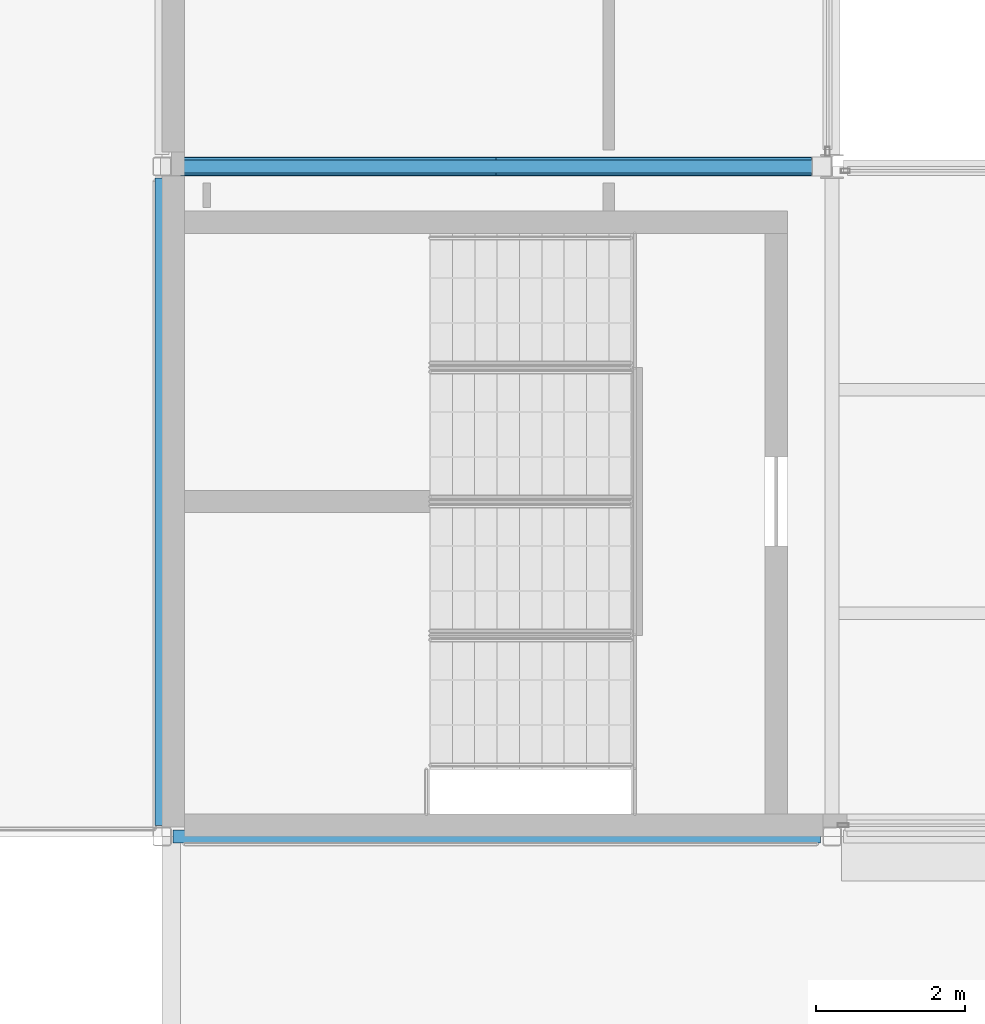
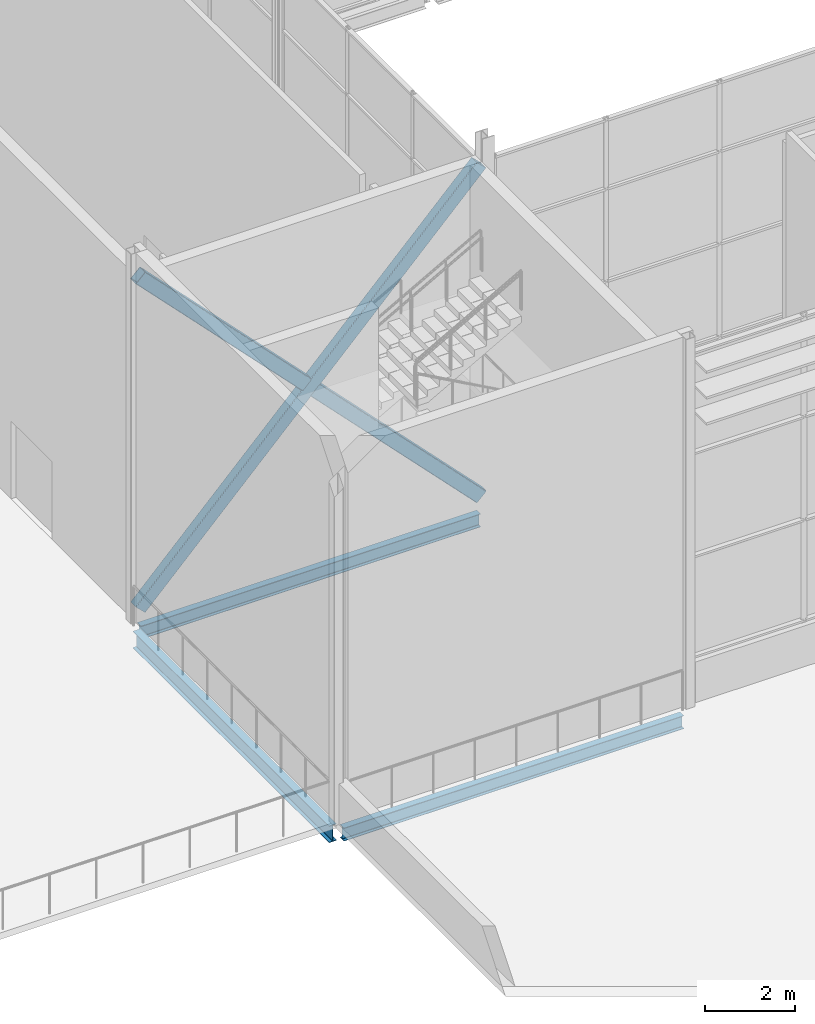
# One storey, part 12 of 111: 3 beams, 2 members.
"""IFC4 building model written with IfcOpenShell, lengths in metres."""

from ifc_helpers import new_model, si_unit, direction, frame, origin, origin_2d, place, context, subcontext, project, spatial, hollow_rectangle, i_section, extrude, material, material_profile, profile_set, type_object, element, save


model = new_model("IFC4")

# Units and contexts
model_context = context("Model", 3, precision=1e-05, world=origin(), true_north=direction((0.0, 1.0)))
body_context = subcontext(model_context, "Body", "Model", "MODEL_VIEW")
ifc_project = project(units=[si_unit("LENGTHUNIT", "METRE"), si_unit("AREAUNIT", "SQUARE_METRE"), si_unit("VOLUMEUNIT", "CUBIC_METRE"), si_unit("PLANEANGLEUNIT", "RADIAN"), si_unit("MASSUNIT", "GRAM", prefix="KILO")], contexts=[model_context])

# Site, building, storey
site_placement = place(None, origin())
site = spatial("IfcSite", under=ifc_project, at=site_placement, CompositionType="ELEMENT")
building_placement = place(site_placement, origin())
building = spatial("IfcBuilding", under=site, at=building_placement, Name="Shorebreak Coast Museum", CompositionType="ELEMENT")
storey_placement = place(building_placement, frame((0.0, 0.0, 16.0)))
storey = spatial("IfcBuildingStorey", under=building, at=storey_placement, Name="L03", CompositionType="ELEMENT", Elevation=16.0)

# Beams
ifc_material_1 = material(Name="Steel Grade 300", Category="steel")
ifc_material_profile_1 = material_profile(ifc_material_1, i_section(OverallWidth=0.1708984375, OverallDepth=0.355712890625, WebThickness=0.00732421875, FlangeThickness=0.011474609375, FilletRadius=0.011474609375, at=origin_2d()), Name="360UB50.7")
ifc_profile_set_1 = profile_set([ifc_material_profile_1], Name="Steel Grade 300")
beam_type_1 = type_object("IfcBeamType", Name="Floor girder east-west 360UB50.7", PredefinedType="BEAM", material=ifc_profile_set_1)
beam_1_placement = place(storey_placement, frame((54.14990234375, 54.0, -0.352783203125), z_axis=(1.0, 0.0, 0.0), x_axis=(0.0, 1.0, 0.0)))
element("IfcBeam", 1, at=beam_1_placement, inside=storey, type_object=beam_type_1, Name="Floor girder east-west L03 7G", PredefinedType="BEAM", context=body_context, shape_type="SweptSolid", body=[
    extrude(i_section(OverallWidth=0.1708984375, OverallDepth=0.355712890625, WebThickness=0.00732421875, FlangeThickness=0.011474609375, FilletRadius=0.011474609375, at=origin_2d()), origin(), (0.0, 0.0, 1.0), 8.696533203125),
])
beam_2_placement = place(storey_placement, frame((54.153564453125, 63.0, -0.352783203125), z_axis=(1.0, 0.0, 0.0), x_axis=(0.0, 1.0, 0.0)))
element("IfcBeam", 2, at=beam_2_placement, inside=storey, type_object=beam_type_1, Name="Floor girder east-west L03 7H", PredefinedType="BEAM", context=body_context, shape_type="SweptSolid", body=[
    extrude(i_section(OverallWidth=0.1708984375, OverallDepth=0.355712890625, WebThickness=0.00732421875, FlangeThickness=0.011474609375, FilletRadius=0.011474609375, at=origin_2d()), origin(), (0.0, 0.0, 1.0), 8.69091796875),
])
ifc_material_2 = material(Name="Steel Grade 300", Category="steel")
ifc_material_profile_2 = material_profile(ifc_material_2, i_section(OverallWidth=0.18994140625, OverallDepth=0.453857421875, WebThickness=0.008544921875, FlangeThickness=0.0126953125, FilletRadius=0.011474609375, at=origin_2d()), Name="460UB67.1")
ifc_profile_set_2 = profile_set([ifc_material_profile_2], Name="Steel Grade 300")
beam_type_2 = type_object("IfcBeamType", Name="Floor girder north-south 460UB67.1", PredefinedType="BEAM", material=ifc_profile_set_2)
beam_3_placement = place(storey_placement, frame((54.0, 54.14990234375, -0.40185546875), z_axis=(0.0, 1.0, 0.0), x_axis=(-1.0, 0.0, 0.0)))
element("IfcBeam", 3, at=beam_3_placement, inside=storey, type_object=beam_type_2, Name="Floor girder north-south L03 7G", PredefinedType="BEAM", context=body_context, shape_type="SweptSolid", body=[
    extrude(i_section(OverallWidth=0.18994140625, OverallDepth=0.453857421875, WebThickness=0.008544921875, FlangeThickness=0.0126953125, FilletRadius=0.011474609375, at=origin_2d()), origin(), (0.0, 0.0, 1.0), 8.69287109375),
])

# Members
ifc_material_3 = material(Name="Steel Grade C450L0", Category="steel")
ifc_material_profile_3 = material_profile(ifc_material_3, hollow_rectangle(XDim=0.25, YDim=0.35009765625, WallThickness=0.012451171875, InnerFilletRadius=0.018798828125, OuterFilletRadius=0.03125, at=origin_2d()), Name="350x250x12.5 RHS")
ifc_profile_set_3 = profile_set([ifc_material_profile_3], Name="Steel Grade C450L0")
member_type = type_object("IfcMemberType", Name="X-brace 350x250x12.5 RHS", PredefinedType="BRACE", material=ifc_profile_set_3)
for number, where, z_axis, x_axis, name in (
    (4, (54.125, 63.0, 0.300048828125), (0.69686913478, 0.0, 0.717198305206), (0.0, 1.0, 0.0), "X-brace bay 01 L03 diagonal 1"),
    (5, (62.845458984375, 63.0, 0.300048828125), (-0.69686913478, 0.0, 0.717198305206), (0.0, -1.0, 0.0), "X-brace bay 01 L03 diagonal 2"),
):
    element("IfcMember", number, at=place(storey_placement, frame(where, z_axis=z_axis, x_axis=x_axis)), inside=storey, type_object=member_type, Name=name, PredefinedType="BRACE", context=body_context, shape_type="SweptSolid", body=[
        extrude(hollow_rectangle(XDim=0.25, YDim=0.35009765625, WallThickness=0.012451171875, InnerFilletRadius=0.018798828125, OuterFilletRadius=0.03125, at=origin_2d()), origin(), (0.0, 0.0, 1.0), 12.513671875),
    ])

save(model, "model.ifc")
